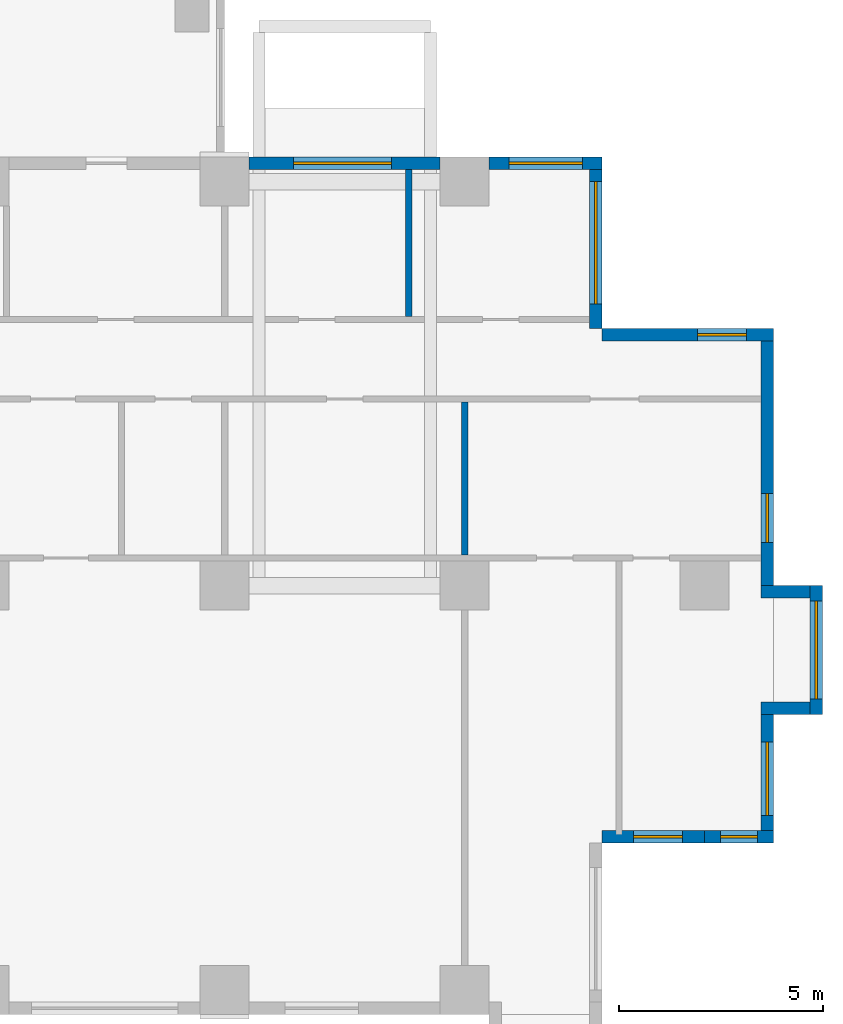
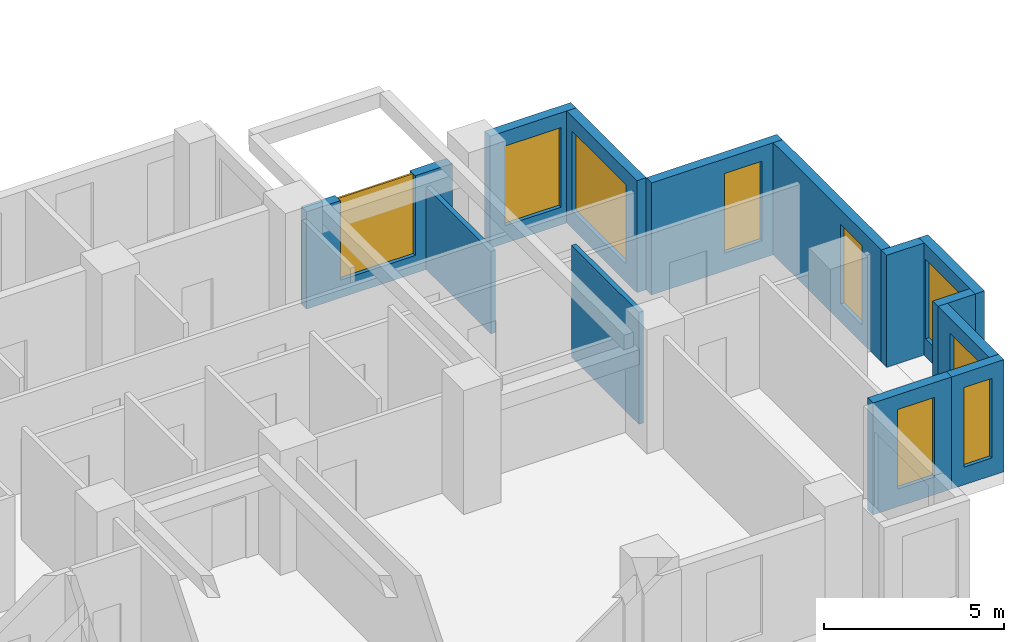
# One storey, part 11 of 17: 13 walls, 9 windows, 9 openings.
"""IFC4 building model written with IfcOpenShell, lengths in metres."""

from ifc_helpers import new_model, si_unit, direction, frame, frame_2d, origin, place, context, subcontext, project, spatial, rectangle, extrude, source, transform, mapped, material, layer, layer_set, type_object, element, fill, save


model = new_model("IFC4")

# Units and contexts
model_context = context("Model", 3, precision=1e-05, world=origin(), true_north=direction((0.0, 1.0)))
body_context = subcontext(model_context, "Body", "Model", "MODEL_VIEW")
ifc_project = project(units=[si_unit("LENGTHUNIT", "METRE"), si_unit("AREAUNIT", "SQUARE_METRE"), si_unit("VOLUMEUNIT", "CUBIC_METRE"), si_unit("PLANEANGLEUNIT", "RADIAN"), si_unit("MASSUNIT", "GRAM", prefix="KILO")], contexts=[model_context])

# Site, building, storey
site_placement = place(None, origin())
site = spatial("IfcSite", under=ifc_project, at=site_placement, CompositionType="ELEMENT")
building_placement = place(site_placement, origin())
building = spatial("IfcBuilding", under=site, at=building_placement, Name="Aurelian Terraces", CompositionType="ELEMENT")
storey_placement = place(building_placement, frame((0.0, 0.0, 69.9)))
storey = spatial("IfcBuildingStorey", under=building, at=storey_placement, Name="L14", CompositionType="ELEMENT", Elevation=69.9)

# Wall, opening, window
ifc_material_1 = material(Name="Terracotta rainscreen cladding", Category="masonry")
ifc_layer_1 = layer(ifc_material_1, 0.3)
ifc_layer_set_1 = layer_set([ifc_layer_1], Name="EW-300")
wall_type_1 = type_object("IfcWallType", Name="EW-300", PredefinedType="STANDARD", material=ifc_layer_set_1)
shared_shape_1 = source(origin(), body_context, "Body", "SweptSolid", [
    extrude(rectangle(XDim=3.15, YDim=0.3, at=frame_2d((1.575, 0.0))), origin(), (0.0, 0.0, 1.0), 3.8),
])
wall_1_placement = place(storey_placement, frame((71.25, 4.2, 0.0), z_axis=(0.0, 0.0, 1.0), x_axis=(0.0, 1.0, 0.0)))
wall_1 = element("IfcWall", 1, at=wall_1_placement, inside=storey, type_object=wall_type_1, Name="External wall L14 F04.15", PredefinedType="STANDARD", context=body_context, shape_type="MappedRepresentation", body=[
    mapped(shared_shape_1, transform((0.0, 0.0, 0.0), scale=1.0)),
])
shared_shape_2 = source(origin(), body_context, "Body", "SweptSolid", [
    extrude(rectangle(XDim=1.8, YDim=2.7, at=frame_2d((0.9, 1.35))), frame((0.0, 0.16, 0.0), z_axis=(0.0, -1.0, 0.0), x_axis=(1.0, 0.0, 0.0)), (0.0, 0.0, 1.0), 0.32),
])
opening_1_placement = place(wall_1_placement, frame((0.675, 0.0, 0.6)))
opening_1 = element("IfcOpeningElement", 2, at=opening_1_placement, cuts=wall_1, Name="Opening W1827", PredefinedType="OPENING", context=body_context, shape_type="MappedRepresentation", body=[
    mapped(shared_shape_2, transform((0.0, 0.0, 0.0), scale=1.0)),
])
ifc_material_2 = material(Name="Clear glazing", Category="glass")
window_type_1 = type_object("IfcWindowType", Name="W-1800x2700", PartitioningType="SINGLE_PANEL", PredefinedType="WINDOW", material=ifc_material_2)
shared_shape_3 = source(origin(), body_context, "Body", "SweptSolid", [
    extrude(rectangle(XDim=1.8, YDim=2.7, at=frame_2d((0.9, 1.35))), frame((0.0, 0.03, 0.0), z_axis=(0.0, -1.0, 0.0), x_axis=(1.0, 0.0, 0.0)), (0.0, 0.0, 1.0), 0.06),
])
window_1_placement = place(opening_1_placement, origin())
window_1 = element("IfcWindow", 3, at=window_1_placement, inside=storey, type_object=window_type_1, Name="Window L14 L14-F04-15-0", OverallHeight=2.7, OverallWidth=1.8, PartitioningType="SINGLE_PANEL", PredefinedType="WINDOW", context=body_context, shape_type="MappedRepresentation", body=[
    mapped(shared_shape_3, transform((0.0, 0.0, 0.0), scale=1.0)),
])
fill(opening_1, window_1)

wall_2_placement = place(storey_placement, frame((72.45, 7.35, 0.0), z_axis=(0.0, 0.0, 1.0), x_axis=(0.0, 1.0, 0.0)))
wall_2 = element("IfcWall", 4, at=wall_2_placement, inside=storey, type_object=wall_type_1, Name="Bay wall L14 F04.16", PredefinedType="STANDARD", context=body_context, shape_type="MappedRepresentation", body=[
    mapped(shared_shape_1, transform((0.0, 0.0, 0.0), scale=1.0)),
])
shared_shape_4 = source(origin(), body_context, "Body", "SweptSolid", [
    extrude(rectangle(XDim=2.4, YDim=2.7, at=frame_2d((1.2, 1.35))), frame((0.0, 0.16, 0.0), z_axis=(0.0, -1.0, 0.0), x_axis=(1.0, 0.0, 0.0)), (0.0, 0.0, 1.0), 0.32),
])
opening_2_placement = place(wall_2_placement, frame((0.375, 0.0, 0.6)))
opening_2 = element("IfcOpeningElement", 5, at=opening_2_placement, cuts=wall_2, Name="Opening W2427", PredefinedType="OPENING", context=body_context, shape_type="MappedRepresentation", body=[
    mapped(shared_shape_4, transform((0.0, 0.0, 0.0), scale=1.0)),
])
window_type_2 = type_object("IfcWindowType", Name="W-2400x2700", PartitioningType="SINGLE_PANEL", PredefinedType="WINDOW", material=ifc_material_2)
shared_shape_5 = source(origin(), body_context, "Body", "SweptSolid", [
    extrude(rectangle(XDim=2.4, YDim=2.7, at=frame_2d((1.2, 1.35))), frame((0.0, 0.03, 0.0), z_axis=(0.0, -1.0, 0.0), x_axis=(1.0, 0.0, 0.0)), (0.0, 0.0, 1.0), 0.06),
])
window_2_placement = place(opening_2_placement, origin())
window_2 = element("IfcWindow", 6, at=window_2_placement, inside=storey, type_object=window_type_2, Name="Window L14 L14-F04-16-0", OverallHeight=2.7, OverallWidth=2.4, PartitioningType="SINGLE_PANEL", PredefinedType="WINDOW", context=body_context, shape_type="MappedRepresentation", body=[
    mapped(shared_shape_5, transform((0.0, 0.0, 0.0), scale=1.0)),
])
fill(opening_2, window_2)

shared_shape_6 = source(origin(), body_context, "Body", "SweptSolid", [
    extrude(rectangle(XDim=4.2, YDim=0.3, at=frame_2d((2.1, 0.0))), origin(), (0.0, 0.0, 1.0), 3.8),
])
wall_3_placement = place(storey_placement, frame((71.4, 16.65, 0.0), z_axis=(0.0, 0.0, 1.0), x_axis=(-1.0, 0.0, 0.0)))
wall_3 = element("IfcWall", 7, at=wall_3_placement, inside=storey, type_object=wall_type_1, Name="External wall L14 F05.18", PredefinedType="STANDARD", context=body_context, shape_type="MappedRepresentation", body=[
    mapped(shared_shape_6, transform((0.0, 0.0, 0.0), scale=1.0)),
])
shared_shape_7 = source(origin(), body_context, "Body", "SweptSolid", [
    extrude(rectangle(XDim=1.2, YDim=2.7, at=frame_2d((0.6, 1.35))), frame((0.0, 0.16, 0.0), z_axis=(0.0, -1.0, 0.0), x_axis=(1.0, 0.0, 0.0)), (0.0, 0.0, 1.0), 0.32),
])
opening_3_placement = place(wall_3_placement, frame((0.66, 0.0, 0.6)))
opening_3 = element("IfcOpeningElement", 8, at=opening_3_placement, cuts=wall_3, Name="Opening W1227", PredefinedType="OPENING", context=body_context, shape_type="MappedRepresentation", body=[
    mapped(shared_shape_7, transform((0.0, 0.0, 0.0), scale=1.0)),
])
window_type_3 = type_object("IfcWindowType", Name="W-1200x2700", PartitioningType="SINGLE_PANEL", PredefinedType="WINDOW", material=ifc_material_2)
shared_shape_8 = source(origin(), body_context, "Body", "SweptSolid", [
    extrude(rectangle(XDim=1.2, YDim=2.7, at=frame_2d((0.6, 1.35))), frame((0.0, 0.03, 0.0), z_axis=(0.0, -1.0, 0.0), x_axis=(1.0, 0.0, 0.0)), (0.0, 0.0, 1.0), 0.06),
])
window_3_placement = place(opening_3_placement, origin())
window_3 = element("IfcWindow", 9, at=window_3_placement, inside=storey, type_object=window_type_3, Name="Window L14 L14-F05-18-0", OverallHeight=2.7, OverallWidth=1.2, PartitioningType="SINGLE_PANEL", PredefinedType="WINDOW", context=body_context, shape_type="MappedRepresentation", body=[
    mapped(shared_shape_8, transform((0.0, 0.0, 0.0), scale=1.0)),
])
fill(opening_3, window_3)

wall_4_placement = place(storey_placement, frame((67.05, 16.8, 0.0), z_axis=(0.0, 0.0, 1.0), x_axis=(0.0, 1.0, 0.0)))
wall_4 = element("IfcWall", 10, at=wall_4_placement, inside=storey, type_object=wall_type_1, Name="External wall L14 F06.19", PredefinedType="STANDARD", context=body_context, shape_type="MappedRepresentation", body=[
    mapped(shared_shape_6, transform((0.0, 0.0, 0.0), scale=1.0)),
])
shared_shape_9 = source(origin(), body_context, "Body", "SweptSolid", [
    extrude(rectangle(XDim=3.0, YDim=2.7, at=frame_2d((1.5, 1.35))), frame((0.0, 0.16, 0.0), z_axis=(0.0, -1.0, 0.0), x_axis=(1.0, 0.0, 0.0)), (0.0, 0.0, 1.0), 0.32),
])
opening_4_placement = place(wall_4_placement, frame((0.6, 0.0, 0.6)))
opening_4 = element("IfcOpeningElement", 11, at=opening_4_placement, cuts=wall_4, Name="Opening W3027", PredefinedType="OPENING", context=body_context, shape_type="MappedRepresentation", body=[
    mapped(shared_shape_9, transform((0.0, 0.0, 0.0), scale=1.0)),
])
window_type_4 = type_object("IfcWindowType", Name="W-3000x2700", PartitioningType="SINGLE_PANEL", PredefinedType="WINDOW", material=ifc_material_2)
shared_shape_10 = source(origin(), body_context, "Body", "SweptSolid", [
    extrude(rectangle(XDim=3.0, YDim=2.7, at=frame_2d((1.5, 1.35))), frame((0.0, 0.03, 0.0), z_axis=(0.0, -1.0, 0.0), x_axis=(1.0, 0.0, 0.0)), (0.0, 0.0, 1.0), 0.06),
])
window_4_placement = place(opening_4_placement, origin())
window_4 = element("IfcWindow", 12, at=window_4_placement, inside=storey, type_object=window_type_4, Name="Window L14 L14-F06-19-0", OverallHeight=2.7, OverallWidth=3.0, PartitioningType="SINGLE_PANEL", PredefinedType="WINDOW", context=body_context, shape_type="MappedRepresentation", body=[
    mapped(shared_shape_10, transform((0.0, 0.0, 0.0), scale=1.0)),
])
fill(opening_4, window_4)

shared_shape_11 = source(origin(), body_context, "Body", "SweptSolid", [
    extrude(rectangle(XDim=2.76, YDim=0.3, at=frame_2d((1.38, 0.0))), origin(), (0.0, 0.0, 1.0), 3.8),
])
wall_5_placement = place(storey_placement, frame((67.2, 20.85, 0.0), z_axis=(0.0, 0.0, 1.0), x_axis=(-1.0, 0.0, 0.0)))
wall_5 = element("IfcWall", 13, at=wall_5_placement, inside=storey, type_object=wall_type_1, Name="External wall L14 F07.20", PredefinedType="STANDARD", context=body_context, shape_type="MappedRepresentation", body=[
    mapped(shared_shape_11, transform((0.0, 0.0, 0.0), scale=1.0)),
])
opening_5_placement = place(wall_5_placement, frame((0.48, 0.0, 0.6)))
opening_5 = element("IfcOpeningElement", 14, at=opening_5_placement, cuts=wall_5, Name="Opening W1827", PredefinedType="OPENING", context=body_context, shape_type="MappedRepresentation", body=[
    mapped(shared_shape_2, transform((0.0, 0.0, 0.0), scale=1.0)),
])
window_5_placement = place(opening_5_placement, origin())
window_5 = element("IfcWindow", 15, at=window_5_placement, inside=storey, type_object=window_type_1, Name="Window L14 L14-F07-20-P0", OverallHeight=2.7, OverallWidth=1.8, PartitioningType="SINGLE_PANEL", PredefinedType="WINDOW", context=body_context, shape_type="MappedRepresentation", body=[
    mapped(shared_shape_3, transform((0.0, 0.0, 0.0), scale=1.0)),
])
fill(opening_5, window_5)

# Walls
shared_shape_12 = source(origin(), body_context, "Body", "SweptSolid", [
    extrude(rectangle(XDim=1.2, YDim=0.3, at=frame_2d((0.6, 0.0))), origin(), (0.0, 0.0, 1.0), 3.8),
])
for number, where, z_axis, x_axis, name in (
    (16, (71.1, 7.5, 0.0), (0.0, 0.0, 1.0), (1.0, 0.0, 0.0), "Bay return L14 F04.16.1"),
    (17, (71.1, 10.35, 0.0), (0.0, 0.0, 1.0), (1.0, 0.0, 0.0), "Bay return L14 F04.16.2"),
):
    element("IfcWall", number, at=place(storey_placement, frame(where, z_axis=z_axis, x_axis=x_axis)), inside=storey, type_object=wall_type_1, Name=name, PredefinedType="STANDARD", context=body_context, shape_type="MappedRepresentation", body=[
        mapped(shared_shape_12, transform((0.0, 0.0, 0.0), scale=1.0)),
    ])

# Wall, opening, window
shared_shape_13 = source(origin(), body_context, "Body", "SweptSolid", [
    extrude(rectangle(XDim=4.68, YDim=0.3, at=frame_2d((2.34, 0.0))), origin(), (0.0, 0.0, 1.0), 3.3),
])
wall_6_placement = place(storey_placement, frame((63.24, 20.85, 0.0), z_axis=(0.0, 0.0, 1.0), x_axis=(-1.0, 0.0, 0.0)))
wall_6 = element("IfcWall", 18, at=wall_6_placement, inside=storey, type_object=wall_type_1, Name="External wall L14 F07.20", PredefinedType="STANDARD", context=body_context, shape_type="MappedRepresentation", body=[
    mapped(shared_shape_13, transform((0.0, 0.0, 0.0), scale=1.0)),
])
opening_6_placement = place(wall_6_placement, frame((1.1935, 0.0, 0.6)))
opening_6 = element("IfcOpeningElement", 19, at=opening_6_placement, cuts=wall_6, Name="Opening W2427", PredefinedType="OPENING", context=body_context, shape_type="MappedRepresentation", body=[
    mapped(shared_shape_4, transform((0.0, 0.0, 0.0), scale=1.0)),
])
window_6_placement = place(opening_6_placement, origin())
window_6 = element("IfcWindow", 20, at=window_6_placement, inside=storey, type_object=window_type_2, Name="Window L14 L14-F07-20-1", OverallHeight=2.7, OverallWidth=2.4, PartitioningType="SINGLE_PANEL", PredefinedType="WINDOW", context=body_context, shape_type="MappedRepresentation", body=[
    mapped(shared_shape_5, transform((0.0, 0.0, 0.0), scale=1.0)),
])
fill(opening_6, window_6)

shared_shape_14 = source(origin(), body_context, "Body", "SweptSolid", [
    extrude(rectangle(XDim=2.52, YDim=0.3, at=frame_2d((1.26, 0.0))), origin(), (0.0, 0.0, 1.0), 3.8),
])
wall_7_placement = place(storey_placement, frame((67.2, 4.35, 0.0), z_axis=(0.0, 0.0, 1.0), x_axis=(1.0, 0.0, 0.0)))
wall_7 = element("IfcWall", 21, at=wall_7_placement, inside=storey, type_object=wall_type_1, Name="External wall L14 F03.13", PredefinedType="STANDARD", context=body_context, shape_type="MappedRepresentation", body=[
    mapped(shared_shape_14, transform((0.0, 0.0, 0.0), scale=1.0)),
])
opening_7_placement = place(wall_7_placement, frame((0.7775, 0.0, 0.6)))
opening_7 = element("IfcOpeningElement", 22, at=opening_7_placement, cuts=wall_7, Name="Opening W1227", PredefinedType="OPENING", context=body_context, shape_type="MappedRepresentation", body=[
    mapped(shared_shape_7, transform((0.0, 0.0, 0.0), scale=1.0)),
])
window_7_placement = place(opening_7_placement, origin())
window_7 = element("IfcWindow", 23, at=window_7_placement, inside=storey, type_object=window_type_3, Name="Window L14 L14-F03-13-P0", OverallHeight=2.7, OverallWidth=1.2, PartitioningType="SINGLE_PANEL", PredefinedType="WINDOW", context=body_context, shape_type="MappedRepresentation", body=[
    mapped(shared_shape_8, transform((0.0, 0.0, 0.0), scale=1.0)),
])
fill(opening_7, window_7)

shared_shape_15 = source(origin(), body_context, "Body", "SweptSolid", [
    extrude(rectangle(XDim=1.68, YDim=0.3, at=frame_2d((0.84, 0.0))), origin(), (0.0, 0.0, 1.0), 3.8),
])
wall_8_placement = place(storey_placement, frame((69.72, 4.35, 0.0), z_axis=(0.0, 0.0, 1.0), x_axis=(1.0, 0.0, 0.0)))
wall_8 = element("IfcWall", 24, at=wall_8_placement, inside=storey, type_object=wall_type_1, Name="External wall L14 F03.14", PredefinedType="STANDARD", context=body_context, shape_type="MappedRepresentation", body=[
    mapped(shared_shape_15, transform((0.0, 0.0, 0.0), scale=1.0)),
])
shared_shape_16 = source(origin(), body_context, "Body", "SweptSolid", [
    extrude(rectangle(XDim=0.9, YDim=2.7, at=frame_2d((0.45, 1.35))), frame((0.0, 0.16, 0.0), z_axis=(0.0, -1.0, 0.0), x_axis=(1.0, 0.0, 0.0)), (0.0, 0.0, 1.0), 0.32),
])
opening_8_placement = place(wall_8_placement, frame((0.39, 0.0, 0.6)))
opening_8 = element("IfcOpeningElement", 25, at=opening_8_placement, cuts=wall_8, Name="Opening W0927", PredefinedType="OPENING", context=body_context, shape_type="MappedRepresentation", body=[
    mapped(shared_shape_16, transform((0.0, 0.0, 0.0), scale=1.0)),
])
window_type_5 = type_object("IfcWindowType", Name="W-900x2700", PartitioningType="SINGLE_PANEL", PredefinedType="WINDOW", material=ifc_material_2)
shared_shape_17 = source(origin(), body_context, "Body", "SweptSolid", [
    extrude(rectangle(XDim=0.9, YDim=2.7, at=frame_2d((0.45, 1.35))), frame((0.0, 0.03, 0.0), z_axis=(0.0, -1.0, 0.0), x_axis=(1.0, 0.0, 0.0)), (0.0, 0.0, 1.0), 0.06),
])
window_8_placement = place(opening_8_placement, origin())
window_8 = element("IfcWindow", 26, at=window_8_placement, inside=storey, type_object=window_type_5, Name="Window L14 L14-F03-14-P0", OverallHeight=2.7, OverallWidth=0.9, PartitioningType="SINGLE_PANEL", PredefinedType="WINDOW", context=body_context, shape_type="MappedRepresentation", body=[
    mapped(shared_shape_17, transform((0.0, 0.0, 0.0), scale=1.0)),
])
fill(opening_8, window_8)

shared_shape_18 = source(origin(), body_context, "Body", "SweptSolid", [
    extrude(rectangle(XDim=6.3, YDim=0.3, at=frame_2d((3.15, 0.0))), origin(), (0.0, 0.0, 1.0), 3.8),
])
wall_9_placement = place(storey_placement, frame((71.25, 10.5, 0.0), z_axis=(0.0, 0.0, 1.0), x_axis=(0.0, 1.0, 0.0)))
wall_9 = element("IfcWall", 27, at=wall_9_placement, inside=storey, type_object=wall_type_1, Name="External wall L14 F04.17", PredefinedType="STANDARD", context=body_context, shape_type="MappedRepresentation", body=[
    mapped(shared_shape_18, transform((0.0, 0.0, 0.0), scale=1.0)),
])
opening_9_placement = place(wall_9_placement, frame((1.0625, 0.0, 0.6)))
opening_9 = element("IfcOpeningElement", 28, at=opening_9_placement, cuts=wall_9, Name="Opening W1227", PredefinedType="OPENING", context=body_context, shape_type="MappedRepresentation", body=[
    mapped(shared_shape_7, transform((0.0, 0.0, 0.0), scale=1.0)),
])
window_9_placement = place(opening_9_placement, origin())
window_9 = element("IfcWindow", 29, at=window_9_placement, inside=storey, type_object=window_type_3, Name="Window L14 L14-F04-17-0", OverallHeight=2.7, OverallWidth=1.2, PartitioningType="SINGLE_PANEL", PredefinedType="WINDOW", context=body_context, shape_type="MappedRepresentation", body=[
    mapped(shared_shape_8, transform((0.0, 0.0, 0.0), scale=1.0)),
])
fill(opening_9, window_9)

# Walls
ifc_material_3 = material(Name="Gypsum board on steel studs", Category="steel")
ifc_layer_2 = layer(ifc_material_3, 0.15)
ifc_layer_set_2 = layer_set([ifc_layer_2], Name="Partition 150")
wall_type_2 = type_object("IfcWallType", Name="Partition 150", PredefinedType="PARTITIONING", material=ifc_layer_set_2)
shared_shape_19 = source(origin(), body_context, "Body", "SweptSolid", [
    extrude(rectangle(XDim=3.75, YDim=0.15, at=frame_2d((1.875, 0.0))), origin(), (0.0, 0.0, 1.0), 3.8),
])
wall_10_placement = place(storey_placement, frame((63.84, 11.25, 0.0), z_axis=(0.0, 0.0, 1.0), x_axis=(0.0, 1.0, 0.0)))
element("IfcWall", 30, at=wall_10_placement, inside=storey, type_object=wall_type_2, Name="Partition", PredefinedType="PARTITIONING", context=body_context, shape_type="MappedRepresentation", body=[
    mapped(shared_shape_19, transform((0.0, 0.0, 0.0), scale=1.0)),
])
shared_shape_20 = source(origin(), body_context, "Body", "SweptSolid", [
    extrude(rectangle(XDim=3.6, YDim=0.15, at=frame_2d((1.8, 0.0))), origin(), (0.0, 0.0, 1.0), 2.8),
])
wall_11_placement = place(storey_placement, frame((62.4675, 20.7, 0.0), z_axis=(0.0, 0.0, 1.0), x_axis=(0.0, -1.0, 0.0)))
element("IfcWall", 31, at=wall_11_placement, inside=storey, type_object=wall_type_2, Name="Partition", PredefinedType="PARTITIONING", context=body_context, shape_type="MappedRepresentation", body=[
    mapped(shared_shape_20, transform((0.0, 0.0, 0.0), scale=1.0)),
])

save(model, "model.ifc")
